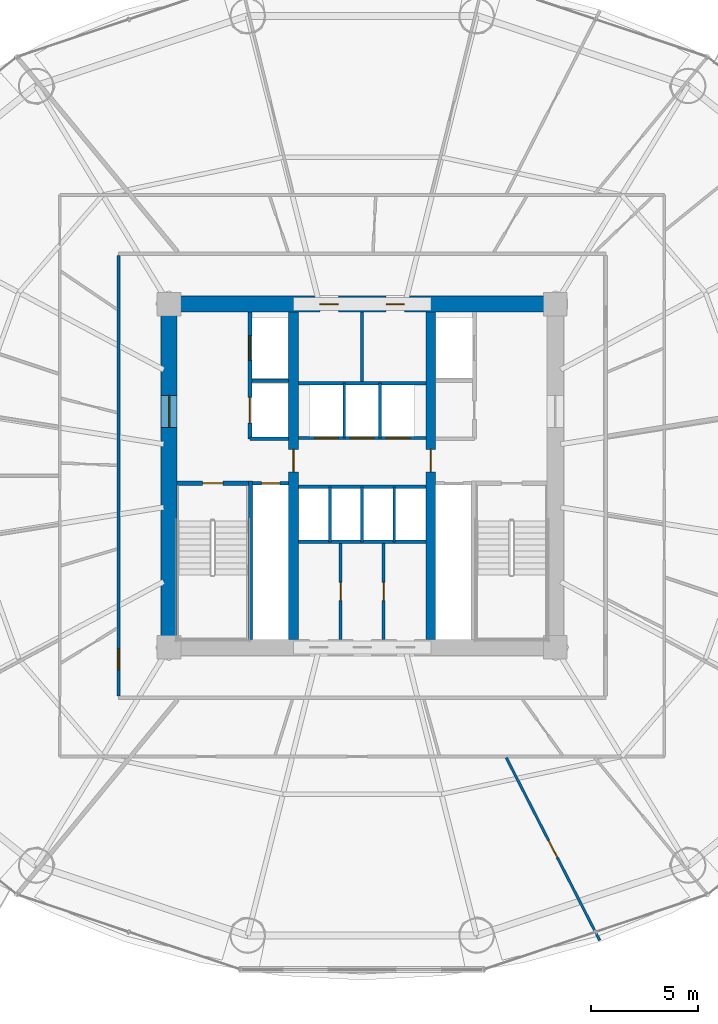
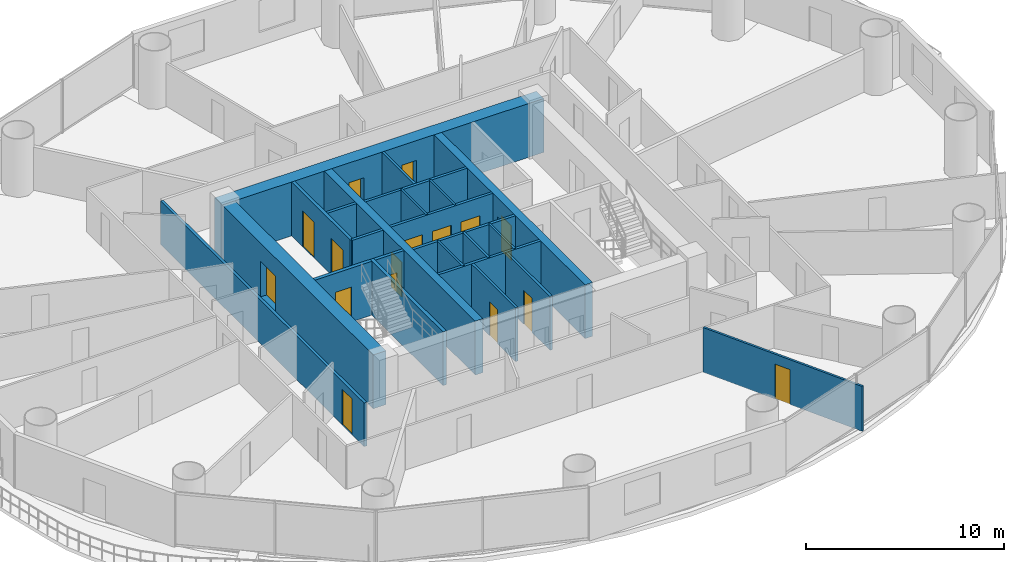
# One storey, part 22 of 28: 24 walls, 16 doors, 16 openings.
"""IFC4 building model written with IfcOpenShell, lengths in metres."""

from ifc_helpers import new_model, si_unit, direction, frame, frame_2d, origin, place, context, subcontext, project, spatial, rectangle, extrude, source, transform, mapped, material, layer, layer_set, type_object, element, fill, save


model = new_model("IFC4")

# Units and contexts
model_context = context("Model", 3, precision=1e-05, world=origin(), true_north=direction((-0.2419218956, 0.970295726276)))
body_context = subcontext(model_context, "Body", "Model", "MODEL_VIEW")
ifc_project = project(units=[si_unit("LENGTHUNIT", "METRE"), si_unit("AREAUNIT", "SQUARE_METRE"), si_unit("VOLUMEUNIT", "CUBIC_METRE"), si_unit("PLANEANGLEUNIT", "RADIAN"), si_unit("MASSUNIT", "GRAM", prefix="KILO")], contexts=[model_context])

# Site, building, storey
site_placement = place(None, origin())
site = spatial("IfcSite", under=ifc_project, at=site_placement, CompositionType="ELEMENT")
building_placement = place(site_placement, origin())
building = spatial("IfcBuilding", under=site, at=building_placement, Name="Cobrevalo Terracotta Tower", CompositionType="ELEMENT")
storey_placement = place(building_placement, frame((0.0, 0.0, 38.39990234375)))
storey = spatial("IfcBuildingStorey", under=building, at=storey_placement, Name="L09", CompositionType="ELEMENT", Elevation=38.39990234375)

# Wall, openings, doors
ifc_material_1 = material(Name="Concrete C60", Category="concrete")
ifc_layer_1 = layer(ifc_material_1, 0.75)
ifc_layer_set_1 = layer_set([ifc_layer_1], Name="Concrete C60")
wall_type_1 = type_object("IfcWallType", Name="Core shear wall 750 mm Concrete C60", PredefinedType="SHEAR", material=ifc_layer_set_1)
wall_1_placement = place(storey_placement, frame((28.625, 34.800048828125, 0.0), z_axis=(0.0, 0.0, 1.0), x_axis=(1.0, 0.0, 0.0)))
wall_1 = element("IfcWall", 1, at=wall_1_placement, inside=storey, type_object=wall_type_1, Name="L09 north core shear wall", PredefinedType="SHEAR", context=body_context, shape_type="SweptSolid", body=[
    extrude(rectangle(XDim=18.75, YDim=0.75, at=frame_2d((9.375, 0.0))), origin(), (0.0, 0.0, 1.0), 3.320068359375),
])
opening_1_placement = place(wall_1_placement, frame((7.407470703125, 0.0, 0.0)))
opening_1 = element("IfcOpeningElement", 2, at=opening_1_placement, cuts=wall_1, Name="Opening ID-07", PredefinedType="OPENING", context=body_context, shape_type="SweptSolid", body=[
    extrude(rectangle(XDim=0.860107421875, YDim=2.10009765625, at=frame_2d((0.43017578125, 1.050048828125))), frame((0.0, 0.385009765625, 0.0), z_axis=(0.0, -1.0, 0.0), x_axis=(1.0, 0.0, 0.0)), (0.0, 0.0, 1.0), 0.77001953125),
])
opening_2_placement = place(wall_1_placement, frame((10.487548828125, 0.0, 0.0)))
opening_2 = element("IfcOpeningElement", 3, at=opening_2_placement, cuts=wall_1, Name="Opening ID-22", PredefinedType="OPENING", context=body_context, shape_type="SweptSolid", body=[
    extrude(rectangle(XDim=0.85009765625, YDim=2.10009765625, at=frame_2d((0.425048828125, 1.050048828125))), frame((0.0, 0.385009765625, 0.0), z_axis=(0.0, -1.0, 0.0), x_axis=(1.0, 0.0, 0.0)), (0.0, 0.0, 1.0), 0.77001953125),
])
ifc_material_2 = material(Name="Powder-coated steel", Category="steel")
door_type_1 = type_object("IfcDoorType", Name="Riser shaft & meter closet fire access door 850x2100 EI 60", OperationType="NOTDEFINED", PredefinedType="DOOR", material=ifc_material_2)
shared_shape_1 = source(origin(), body_context, "Body", "SweptSolid", [
    extrude(rectangle(XDim=0.85009765625, YDim=2.10009765625, at=frame_2d((0.425048828125, 1.050048828125))), frame((0.0, 0.02490234375, 0.0), z_axis=(0.0, -1.0, 0.0), x_axis=(1.0, 0.0, 0.0)), (0.0, 0.0, 1.0), 0.050048828125),
])
door_1_placement = place(opening_2_placement, frame((0.85009765625, 0.0, 0.0), z_axis=(0.0, 0.0, 1.0), x_axis=(-1.0, 0.0, 0.0)))
door_1 = element("IfcDoor", 4, at=door_1_placement, inside=storey, type_object=door_type_1, Name="L09 core north service door Floor Telecom and Metering Plant", OperationType="SINGLE_SWING_RIGHT", OverallHeight=2.10009765625, OverallWidth=0.85009765625, PredefinedType="DOOR", context=body_context, shape_type="MappedRepresentation", body=[
    mapped(shared_shape_1, transform((0.0, 0.0, 0.0), scale=1.0)),
])
fill(opening_2, door_1)
ifc_material_3 = material(Name="Fire-rated moisture-sealed timber", Category="wood")
door_type_2 = type_object("IfcDoorType", Name="Core & podium fire-rated accessible WC door 860x2100 EI 60", OperationType="NOTDEFINED", PredefinedType="DOOR", material=ifc_material_3)
shared_shape_2 = source(origin(), body_context, "Body", "SweptSolid", [
    extrude(rectangle(XDim=0.860107421875, YDim=2.10009765625, at=frame_2d((0.43017578125, 1.050048828125))), frame((0.0, 0.02490234375, 0.0), z_axis=(0.0, -1.0, 0.0), x_axis=(1.0, 0.0, 0.0)), (0.0, 0.0, 1.0), 0.050048828125),
])
door_2_placement = place(opening_1_placement, frame((0.860107421875, 0.0, 0.0), z_axis=(0.0, 0.0, 1.0), x_axis=(-1.0, 0.0, 0.0)))
door_2 = element("IfcDoor", 5, at=door_2_placement, inside=storey, type_object=door_type_2, Name="L09 core north service door Core Accessible Toilet WC", OperationType="SINGLE_SWING_LEFT", OverallHeight=2.10009765625, OverallWidth=0.860107421875, PredefinedType="DOOR", context=body_context, shape_type="MappedRepresentation", body=[
    mapped(shared_shape_2, transform((0.0, 0.0, 0.0), scale=1.0)),
])
fill(opening_1, door_2)

# Wall, opening, door
wall_2_placement = place(storey_placement, frame((29.0, 19.175048828125, 0.0), z_axis=(0.0, 0.0, 1.0), x_axis=(0.0, 1.0, 0.0)))
wall_2 = element("IfcWall", 6, at=wall_2_placement, inside=storey, type_object=wall_type_1, Name="L09 west core shear wall", PredefinedType="SHEAR", context=body_context, shape_type="SweptSolid", body=[
    extrude(rectangle(XDim=15.25, YDim=0.75, at=frame_2d((7.625, 0.0))), origin(), (0.0, 0.0, 1.0), 3.320068359375),
])
opening_3_placement = place(wall_2_placement, frame((9.875, 0.0, 0.0)))
opening_3 = element("IfcOpeningElement", 7, at=opening_3_placement, cuts=wall_2, Name="Opening ID-14", PredefinedType="OPENING", context=body_context, shape_type="SweptSolid", body=[
    extrude(rectangle(XDim=1.5, YDim=2.199951171875, at=frame_2d((0.75, 1.10009765625))), frame((0.0, 0.385009765625, 0.0), z_axis=(0.0, -1.0, 0.0), x_axis=(1.0, 0.0, 0.0)), (0.0, 0.0, 1.0), 0.77001953125),
])
ifc_material_4 = material(Name="Galvanized fire-rated steel", Category="steel")
door_type_3 = type_object("IfcDoorType", Name="Core cross-lobby double fire door 1500x2200 EI 90", OperationType="NOTDEFINED", PredefinedType="DOOR", material=ifc_material_4)
shared_shape_3 = source(origin(), body_context, "Body", "SweptSolid", [
    extrude(rectangle(XDim=1.5, YDim=2.199951171875, at=frame_2d((0.75, 1.10009765625))), frame((0.0, 0.02490234375, 0.0), z_axis=(0.0, -1.0, 0.0), x_axis=(1.0, 0.0, 0.0)), (0.0, 0.0, 1.0), 0.050048828125),
])
door_3_placement = place(opening_3_placement, origin())
door_3 = element("IfcDoor", 8, at=door_3_placement, inside=storey, type_object=door_type_3, Name="L09 west firefighting lobby entrance door", OperationType="DOUBLE_DOOR_SINGLE_SWING", OverallHeight=2.199951171875, OverallWidth=1.5, PredefinedType="DOOR", context=body_context, shape_type="MappedRepresentation", body=[
    mapped(shared_shape_3, transform((0.0, 0.0, 0.0), scale=1.0)),
])
fill(opening_3, door_3)

# Walls
ifc_material_5 = material(Name="Gypsum board on steel stud", Category="steel")
ifc_layer_2 = layer(ifc_material_5, 0.159912109375)
ifc_layer_set_2 = layer_set([ifc_layer_2], Name="Gypsum board on steel stud")
wall_type_2 = type_object("IfcWallType", Name="Fire-rated corridor acoustic partition wall 160 mm", PredefinedType="PARTITIONING", material=ifc_layer_set_2)
wall_3_placement = place(storey_placement, frame((32.860107421875, 31.219970703125, 0.0), z_axis=(0.0, 0.0, 1.0), x_axis=(1.0, 0.0, 0.0)))
element("IfcWall", 9, at=wall_3_placement, inside=storey, type_object=wall_type_2, Name="L09 interior partition IW-L09-FF1-M", PredefinedType="PARTITIONING", context=body_context, shape_type="SweptSolid", body=[
    extrude(rectangle(XDim=1.71484375, YDim=0.159912109375, at=frame_2d((0.857421875, 0.0))), origin(), (0.0, 0.0, 1.0), 3.320068359375),
])
wall_4_placement = place(storey_placement, frame((32.77001953125, 28.52001953125, 0.0), z_axis=(0.0, 0.0, 1.0), x_axis=(1.0, 0.0, 0.0)))
element("IfcWall", 10, at=wall_4_placement, inside=storey, type_object=wall_type_2, Name="L09 interior partition IW-L09-FF1-S", PredefinedType="PARTITIONING", context=body_context, shape_type="SweptSolid", body=[
    extrude(rectangle(XDim=1.804931640625, YDim=0.159912109375, at=frame_2d((0.90234375, 0.0))), origin(), (0.0, 0.0, 1.0), 3.320068359375),
])

# Wall, openings, doors
wall_5_placement = place(storey_placement, frame((35.02490234375, 28.56005859375, 0.0), z_axis=(0.0, 0.0, 1.0), x_axis=(1.0, 0.0, 0.0)))
wall_5 = element("IfcWall", 11, at=wall_5_placement, inside=storey, type_object=wall_type_2, Name="L09 interior partition IW-L09-LB-S", PredefinedType="PARTITIONING", context=body_context, shape_type="SweptSolid", body=[
    extrude(rectangle(XDim=5.9501953125, YDim=0.159912109375, at=frame_2d((2.97509765625, 0.0))), origin(), (0.0, 0.0, 1.0), 3.320068359375),
])
opening_4_placement = place(wall_5_placement, frame((0.760009765625, 0.0, 0.0)))
opening_4 = element("IfcOpeningElement", 12, at=opening_4_placement, cuts=wall_5, Name="Opening LD-01", PredefinedType="OPENING", context=body_context, shape_type="SweptSolid", body=[
    extrude(rectangle(XDim=1.10009765625, YDim=2.199951171875, at=frame_2d((0.550048828125, 1.10009765625))), frame((0.0, 0.08984375, 0.0), z_axis=(0.0, -1.0, 0.0), x_axis=(1.0, 0.0, 0.0)), (0.0, 0.0, 1.0), 0.179931640625),
])
opening_5_placement = place(wall_5_placement, frame((2.425048828125, 0.0, 0.0)))
opening_5 = element("IfcOpeningElement", 13, at=opening_5_placement, cuts=wall_5, Name="Opening LD-01", PredefinedType="OPENING", context=body_context, shape_type="SweptSolid", body=[
    extrude(rectangle(XDim=1.10009765625, YDim=2.199951171875, at=frame_2d((0.550048828125, 1.10009765625))), frame((0.0, 0.08984375, 0.0), z_axis=(0.0, -1.0, 0.0), x_axis=(1.0, 0.0, 0.0)), (0.0, 0.0, 1.0), 0.179931640625),
])
opening_6_placement = place(wall_5_placement, frame((4.090087890625, 0.0, 0.0)))
opening_6 = element("IfcOpeningElement", 14, at=opening_6_placement, cuts=wall_5, Name="Opening LD-01", PredefinedType="OPENING", context=body_context, shape_type="SweptSolid", body=[
    extrude(rectangle(XDim=1.10009765625, YDim=2.199951171875, at=frame_2d((0.550048828125, 1.10009765625))), frame((0.0, 0.08984375, 0.0), z_axis=(0.0, -1.0, 0.0), x_axis=(1.0, 0.0, 0.0)), (0.0, 0.0, 1.0), 0.179931640625),
])
ifc_material_6 = material(Name="Brushed stainless steel", Category="steel")
door_type_4 = type_object("IfcDoorType", Name="Passenger lift landing bi-parting sliding door 1100x2200 EI 90", OperationType="DOUBLE_DOOR_SLIDING", PredefinedType="DOOR", material=ifc_material_6)
shared_shape_4 = source(origin(), body_context, "Body", "SweptSolid", [
    extrude(rectangle(XDim=1.10009765625, YDim=2.199951171875, at=frame_2d((0.550048828125, 1.10009765625))), frame((0.0, 0.02490234375, 0.0), z_axis=(0.0, -1.0, 0.0), x_axis=(1.0, 0.0, 0.0)), (0.0, 0.0, 1.0), 0.050048828125),
])
door_4_placement = place(opening_4_placement, origin())
door_4 = element("IfcDoor", 15, at=door_4_placement, inside=storey, type_object=door_type_4, Name="L09 lift landing door PL-L1", OperationType="DOUBLE_DOOR_SLIDING", OverallHeight=2.199951171875, OverallWidth=1.10009765625, PredefinedType="DOOR", context=body_context, shape_type="MappedRepresentation", body=[
    mapped(shared_shape_4, transform((0.0, 0.0, 0.0), scale=1.0)),
])
fill(opening_4, door_4)
door_5_placement = place(opening_5_placement, origin())
door_5 = element("IfcDoor", 16, at=door_5_placement, inside=storey, type_object=door_type_4, Name="L09 lift landing door PL-L2", OperationType="DOUBLE_DOOR_SLIDING", OverallHeight=2.199951171875, OverallWidth=1.10009765625, PredefinedType="DOOR", context=body_context, shape_type="MappedRepresentation", body=[
    mapped(shared_shape_4, transform((0.0, 0.0, 0.0), scale=1.0)),
])
fill(opening_5, door_5)
door_6_placement = place(opening_6_placement, origin())
door_6 = element("IfcDoor", 17, at=door_6_placement, inside=storey, type_object=door_type_4, Name="L09 lift landing door PL-L3", OperationType="DOUBLE_DOOR_SLIDING", OverallHeight=2.199951171875, OverallWidth=1.10009765625, PredefinedType="DOOR", context=body_context, shape_type="MappedRepresentation", body=[
    mapped(shared_shape_4, transform((0.0, 0.0, 0.0), scale=1.0)),
])
fill(opening_6, door_6)

# Walls
for number, where, z_axis, x_axis, name in (
    (18, (35.02490234375, 31.1201171875, 0.0), (0.0, 0.0, 1.0), (1.0, 0.0, 0.0), "L09 interior partition IW-L09-LB-N"),
    (19, (35.02490234375, 26.280029296875, 0.0), (0.0, 0.0, 1.0), (1.0, 0.0, 0.0), "L09 interior partition IW-L09-MB-N"),
    (20, (35.02490234375, 23.719970703125, 0.0), (0.0, 0.0, 1.0), (1.0, 0.0, 0.0), "L09 interior partition IW-L09-MB-S"),
):
    element("IfcWall", number, at=place(storey_placement, frame(where, z_axis=z_axis, x_axis=x_axis)), inside=storey, type_object=wall_type_2, Name=name, PredefinedType="PARTITIONING", context=body_context, shape_type="SweptSolid", body=[
        extrude(rectangle(XDim=5.9501953125, YDim=0.159912109375, at=frame_2d((2.97509765625, 0.0))), origin(), (0.0, 0.0, 1.0), 3.320068359375),
    ])

# Wall, opening, door
wall_6_placement = place(storey_placement, frame((26.64501953125, 16.52490234375, 0.0), z_axis=(0.0, 0.0, 1.0), x_axis=(0.0, 1.0, 0.0)))
wall_6 = element("IfcWall", 21, at=wall_6_placement, inside=storey, type_object=wall_type_2, Name="L09 interior partition IW-L09-COR-W", PredefinedType="PARTITIONING", context=body_context, shape_type="SweptSolid", body=[
    extrude(rectangle(XDim=20.550048828125, YDim=0.159912109375, at=frame_2d((10.27490234375, 0.0))), origin(), (0.0, 0.0, 1.0), 2.68798828125),
])
opening_7_placement = place(wall_6_placement, frame((1.226318359375, 0.0, 0.0)))
opening_7 = element("IfcOpeningElement", 22, at=opening_7_placement, cuts=wall_6, Name="Opening ID-05", PredefinedType="OPENING", context=body_context, shape_type="SweptSolid", body=[
    extrude(rectangle(XDim=0.97998046875, YDim=2.199951171875, at=frame_2d((0.489990234375, 1.10009765625))), frame((0.0, 0.08984375, 0.0), z_axis=(0.0, -1.0, 0.0), x_axis=(1.0, 0.0, 0.0)), (0.0, 0.0, 1.0), 0.179931640625),
])
ifc_material_7 = material(Name="Solid hardwood timber", Category="wood")
door_type_5 = type_object("IfcDoorType", Name="Residence entrance fire-rated acoustic timber door 980x2200 EI 60", OperationType="NOTDEFINED", PredefinedType="DOOR", material=ifc_material_7)
shared_shape_5 = source(origin(), body_context, "Body", "SweptSolid", [
    extrude(rectangle(XDim=0.97998046875, YDim=2.199951171875, at=frame_2d((0.489990234375, 1.10009765625))), frame((0.0, 0.02490234375, 0.0), z_axis=(0.0, -1.0, 0.0), x_axis=(1.0, 0.0, 0.0)), (0.0, 0.0, 1.0), 0.050048828125),
])
door_7_placement = place(opening_7_placement, origin())
door_7 = element("IfcDoor", 23, at=door_7_placement, inside=storey, type_object=door_type_5, Name="Flat L09B fire-rated apartment entrance door", OperationType="SINGLE_SWING_RIGHT", OverallHeight=2.199951171875, OverallWidth=0.97998046875, PredefinedType="DOOR", context=body_context, shape_type="MappedRepresentation", body=[
    mapped(shared_shape_5, transform((0.0, 0.0, 0.0), scale=1.0)),
])
fill(opening_7, door_7)

ifc_layer_3 = layer(ifc_material_5, 0.179931640625)
ifc_layer_set_3 = layer_set([ifc_layer_3], Name="Gypsum board on steel stud")
wall_type_3 = type_object("IfcWallType", Name="Fire-rated shaft & lobby acoustic partition wall 180 mm", PredefinedType="PARTITIONING", material=ifc_layer_set_3)
wall_7_placement = place(storey_placement, frame((32.89990234375, 26.449951171875, 0.0), z_axis=(0.0, 0.0, 1.0), x_axis=(1.0, 0.0, 0.0)))
wall_7 = element("IfcWall", 24, at=wall_7_placement, inside=storey, type_object=wall_type_3, Name="L09 interior partition IW-L09-RSW-N", PredefinedType="PARTITIONING", context=body_context, shape_type="SweptSolid", body=[
    extrude(rectangle(XDim=1.675048828125, YDim=0.179931640625, at=frame_2d((0.83740234375, 0.0))), origin(), (0.0, 0.0, 1.0), 3.320068359375),
])
opening_8_placement = place(wall_7_placement, frame((0.41259765625, 0.0, 0.0)))
opening_8 = element("IfcOpeningElement", 25, at=opening_8_placement, cuts=wall_7, Name="Opening ID-22", PredefinedType="OPENING", context=body_context, shape_type="SweptSolid", body=[
    extrude(rectangle(XDim=0.85009765625, YDim=2.10009765625, at=frame_2d((0.425048828125, 1.050048828125))), frame((0.0, 0.10009765625, 0.0), z_axis=(0.0, -1.0, 0.0), x_axis=(1.0, 0.0, 0.0)), (0.0, 0.0, 1.0), 0.199951171875),
])
door_8_placement = place(opening_8_placement, origin())
door_8 = element("IfcDoor", 26, at=door_8_placement, inside=storey, type_object=door_type_1, Name="L09 riser access door RSW", OperationType="SINGLE_SWING_LEFT", OverallHeight=2.10009765625, OverallWidth=0.85009765625, PredefinedType="DOOR", context=body_context, shape_type="MappedRepresentation", body=[
    mapped(shared_shape_1, transform((0.0, 0.0, 0.0), scale=1.0)),
])
fill(opening_8, door_8)

# Wall, openings, doors
wall_8_placement = place(storey_placement, frame((32.77001953125, 28.52001953125, 0.0), z_axis=(0.0, 0.0, 1.0), x_axis=(0.0, 1.0, 0.0)))
wall_8 = element("IfcWall", 27, at=wall_8_placement, inside=storey, type_object=wall_type_3, Name="L09 interior partition IW-L09-FF1-W", PredefinedType="PARTITIONING", context=body_context, shape_type="SweptSolid", body=[
    extrude(rectangle(XDim=5.905029296875, YDim=0.179931640625, at=frame_2d((2.95263671875, 0.0))), origin(), (0.0, 0.0, 1.0), 3.320068359375),
])
opening_9_placement = place(wall_8_placement, frame((3.655029296875, 0.0, 0.0)))
opening_9 = element("IfcOpeningElement", 28, at=opening_9_placement, cuts=wall_8, Name="Opening LD-02", PredefinedType="OPENING", context=body_context, shape_type="SweptSolid", body=[
    extrude(rectangle(XDim=1.14990234375, YDim=2.199951171875, at=frame_2d((0.574951171875, 1.10009765625))), frame((0.0, 0.10009765625, 0.0), z_axis=(0.0, -1.0, 0.0), x_axis=(1.0, 0.0, 0.0)), (0.0, 0.0, 1.0), 0.199951171875),
])
opening_10_placement = place(wall_8_placement, frame((0.72998046875, 0.0, 0.0)))
opening_10 = element("IfcOpeningElement", 29, at=opening_10_placement, cuts=wall_8, Name="Opening LD-03", PredefinedType="OPENING", context=body_context, shape_type="SweptSolid", body=[
    extrude(rectangle(XDim=1.199951171875, YDim=2.25, at=frame_2d((0.60009765625, 1.125))), frame((0.0, 0.10009765625, 0.0), z_axis=(0.0, -1.0, 0.0), x_axis=(1.0, 0.0, 0.0)), (0.0, 0.0, 1.0), 0.199951171875),
])
door_type_6 = type_object("IfcDoorType", Name="Firefighting lift landing bi-parting sliding door 1150x2200 EI 120", OperationType="DOUBLE_DOOR_SLIDING", PredefinedType="DOOR", material=ifc_material_6)
shared_shape_6 = source(origin(), body_context, "Body", "SweptSolid", [
    extrude(rectangle(XDim=1.14990234375, YDim=2.199951171875, at=frame_2d((0.574951171875, 1.10009765625))), frame((0.0, 0.02490234375, 0.0), z_axis=(0.0, -1.0, 0.0), x_axis=(1.0, 0.0, 0.0)), (0.0, 0.0, 1.0), 0.050048828125),
])
door_9_placement = place(opening_9_placement, origin())
door_9 = element("IfcDoor", 30, at=door_9_placement, inside=storey, type_object=door_type_6, Name="L09 lift landing door FF-1", OperationType="DOUBLE_DOOR_SLIDING", OverallHeight=2.199951171875, OverallWidth=1.14990234375, PredefinedType="DOOR", context=body_context, shape_type="MappedRepresentation", body=[
    mapped(shared_shape_6, transform((0.0, 0.0, 0.0), scale=1.0)),
])
fill(opening_9, door_9)
door_type_7 = type_object("IfcDoorType", Name="Service lift landing bi-parting sliding door 1200x2250 EI 120", OperationType="DOUBLE_DOOR_SLIDING", PredefinedType="DOOR", material=ifc_material_6)
shared_shape_7 = source(origin(), body_context, "Body", "SweptSolid", [
    extrude(rectangle(XDim=1.199951171875, YDim=2.25, at=frame_2d((0.60009765625, 1.125))), frame((0.0, 0.02490234375, 0.0), z_axis=(0.0, -1.0, 0.0), x_axis=(1.0, 0.0, 0.0)), (0.0, 0.0, 1.0), 0.050048828125),
])
door_10_placement = place(opening_10_placement, origin())
door_10 = element("IfcDoor", 31, at=door_10_placement, inside=storey, type_object=door_type_7, Name="L09 lift landing door SV-1", OperationType="DOUBLE_DOOR_SLIDING", OverallHeight=2.25, OverallWidth=1.199951171875, PredefinedType="DOOR", context=body_context, shape_type="MappedRepresentation", body=[
    mapped(shared_shape_7, transform((0.0, 0.0, 0.0), scale=1.0)),
])
fill(opening_10, door_10)

# Walls
ifc_material_8 = material(Name="Autoclaved aerated concrete block", Category="concrete")
ifc_layer_4 = layer(ifc_material_8, 0.1201171875)
ifc_layer_set_4 = layer_set([ifc_layer_4], Name="Autoclaved aerated concrete block")
wall_type_4 = type_object("IfcWallType", Name="Fire-rated wet-room & core service partition 120 mm", PredefinedType="PARTITIONING", material=ifc_layer_set_4)
for number, where, z_axis, x_axis, name in (
    (32, (37.169921875, 28.56005859375, 0.0), (0.0, 0.0, 1.0), (0.0, 1.0, 0.0), "L09 interior partition IW-L09-LB-D1"),
    (33, (38.830078125, 28.56005859375, 0.0), (0.0, 0.0, 1.0), (0.0, 1.0, 0.0), "L09 interior partition IW-L09-LB-D2"),
    (34, (36.5, 23.719970703125, 0.0), (0.0, 0.0, 1.0), (0.0, 1.0, 0.0), "L09 interior partition IW-L09-MB-D1"),
    (35, (39.5, 23.719970703125, 0.0), (0.0, 0.0, 1.0), (0.0, 1.0, 0.0), "L09 interior partition IW-L09-MB-D3"),
):
    element("IfcWall", number, at=place(storey_placement, frame(where, z_axis=z_axis, x_axis=x_axis)), inside=storey, type_object=wall_type_4, Name=name, PredefinedType="PARTITIONING", context=body_context, shape_type="SweptSolid", body=[
        extrude(rectangle(XDim=2.56005859375, YDim=0.1201171875, at=frame_2d((1.280029296875, 0.0))), origin(), (0.0, 0.0, 1.0), 3.320068359375),
    ])

# Wall, opening, door
ifc_material_9 = material(Name="Concrete C55", Category="concrete")
ifc_layer_5 = layer(ifc_material_9, 0.449951171875)
ifc_layer_set_5 = layer_set([ifc_layer_5], Name="Concrete C55")
wall_type_5 = type_object("IfcWallType", Name="Internal core shear web wall 450 mm Concrete C55", PredefinedType="SHEAR", material=ifc_layer_set_5)
wall_9_placement = place(storey_placement, frame((34.800048828125, 19.175048828125, 0.0), z_axis=(0.0, 0.0, 1.0), x_axis=(0.0, 1.0, 0.0)))
wall_9 = element("IfcWall", 36, at=wall_9_placement, inside=storey, type_object=wall_type_5, Name="L09 internal core shear wall WEB-W", PredefinedType="SHEAR", context=body_context, shape_type="SweptSolid", body=[
    extrude(rectangle(XDim=15.25, YDim=0.449951171875, at=frame_2d((7.625, 0.0))), origin(), (0.0, 0.0, 1.0), 3.320068359375),
])
opening_11_placement = place(wall_9_placement, frame((7.800048828125, 0.0, 0.0)))
opening_11 = element("IfcOpeningElement", 37, at=opening_11_placement, cuts=wall_9, Name="Opening ID-11", PredefinedType="OPENING", context=body_context, shape_type="SweptSolid", body=[
    extrude(rectangle(XDim=1.050048828125, YDim=2.14990234375, at=frame_2d((0.52490234375, 1.074951171875))), frame((0.0, 0.23486328125, 0.0), z_axis=(0.0, -1.0, 0.0), x_axis=(1.0, 0.0, 0.0)), (0.0, 0.0, 1.0), 0.469970703125),
])
door_type_8 = type_object("IfcDoorType", Name="Core concourse cross fire door 1050x2150 EI 90", OperationType="NOTDEFINED", PredefinedType="DOOR", material=ifc_material_4)
shared_shape_8 = source(origin(), body_context, "Body", "SweptSolid", [
    extrude(rectangle(XDim=1.050048828125, YDim=2.14990234375, at=frame_2d((0.52490234375, 1.074951171875))), frame((0.0, 0.02490234375, 0.0), z_axis=(0.0, -1.0, 0.0), x_axis=(1.0, 0.0, 0.0)), (0.0, 0.0, 1.0), 0.050048828125),
])
door_11_placement = place(opening_11_placement, origin())
door_11 = element("IfcDoor", 38, at=door_11_placement, inside=storey, type_object=door_type_8, Name="L09 west core concourse cross door", OperationType="SINGLE_SWING_LEFT", OverallHeight=2.14990234375, OverallWidth=1.050048828125, PredefinedType="DOOR", context=body_context, shape_type="MappedRepresentation", body=[
    mapped(shared_shape_8, transform((0.0, 0.0, 0.0), scale=1.0)),
])
fill(opening_11, door_11)

wall_10_placement = place(storey_placement, frame((41.199951171875, 19.175048828125, 0.0), z_axis=(0.0, 0.0, 1.0), x_axis=(0.0, 1.0, 0.0)))
wall_10 = element("IfcWall", 39, at=wall_10_placement, inside=storey, type_object=wall_type_5, Name="L09 internal core shear wall WEB-E", PredefinedType="SHEAR", context=body_context, shape_type="SweptSolid", body=[
    extrude(rectangle(XDim=15.25, YDim=0.449951171875, at=frame_2d((7.625, 0.0))), origin(), (0.0, 0.0, 1.0), 3.320068359375),
])
opening_12_placement = place(wall_10_placement, frame((7.800048828125, 0.0, 0.0)))
opening_12 = element("IfcOpeningElement", 40, at=opening_12_placement, cuts=wall_10, Name="Opening ID-11", PredefinedType="OPENING", context=body_context, shape_type="SweptSolid", body=[
    extrude(rectangle(XDim=1.050048828125, YDim=2.14990234375, at=frame_2d((0.52490234375, 1.074951171875))), frame((0.0, 0.23486328125, 0.0), z_axis=(0.0, -1.0, 0.0), x_axis=(1.0, 0.0, 0.0)), (0.0, 0.0, 1.0), 0.469970703125),
])
door_12_placement = place(opening_12_placement, frame((1.050048828125, 0.0, 0.0), z_axis=(0.0, 0.0, 1.0), x_axis=(-1.0, 0.0, 0.0)))
door_12 = element("IfcDoor", 41, at=door_12_placement, inside=storey, type_object=door_type_8, Name="L09 east core concourse cross door", OperationType="SINGLE_SWING_RIGHT", OverallHeight=2.14990234375, OverallWidth=1.050048828125, PredefinedType="DOOR", context=body_context, shape_type="MappedRepresentation", body=[
    mapped(shared_shape_8, transform((0.0, 0.0, 0.0), scale=1.0)),
])
fill(opening_12, door_12)

# Walls
ifc_layer_6 = layer(ifc_material_8, 0.139892578125)
ifc_layer_set_6 = layer_set([ifc_layer_6], Name="Autoclaved aerated concrete block")
wall_type_6 = type_object("IfcWallType", Name="Moisture-resistant wet-room & core service partition 140 mm", PredefinedType="PARTITIONING", material=ifc_layer_set_6)
wall_11_placement = place(storey_placement, frame((38.0, 31.199951171875, 0.0), z_axis=(0.0, 0.0, 1.0), x_axis=(0.0, 1.0, 0.0)))
element("IfcWall", 42, at=wall_11_placement, inside=storey, type_object=wall_type_6, Name="L09 interior partition IW-L09-KVN-1", PredefinedType="PARTITIONING", context=body_context, shape_type="SweptSolid", body=[
    extrude(rectangle(XDim=3.22509765625, YDim=0.139892578125, at=frame_2d((1.612548828125, 0.0))), origin(), (0.0, 0.0, 1.0), 3.320068359375),
])
wall_12_placement = place(storey_placement, frame((38.0, 23.719970703125, 0.0), z_axis=(0.0, 0.0, 1.0), x_axis=(0.0, 1.0, 0.0)))
element("IfcWall", 43, at=wall_12_placement, inside=storey, type_object=wall_type_6, Name="L09 interior partition IW-L09-MB-D2", PredefinedType="PARTITIONING", context=body_context, shape_type="SweptSolid", body=[
    extrude(rectangle(XDim=2.56005859375, YDim=0.139892578125, at=frame_2d((1.280029296875, 0.0))), origin(), (0.0, 0.0, 1.0), 3.320068359375),
])

# Wall, opening, door
wall_13_placement = place(storey_placement, frame((37.0, 19.175048828125, 0.0), z_axis=(0.0, 0.0, 1.0), x_axis=(0.0, 1.0, 0.0)))
wall_13 = element("IfcWall", 44, at=wall_13_placement, inside=storey, type_object=wall_type_6, Name="L09 interior partition IW-L09-KVS-V1", PredefinedType="PARTITIONING", context=body_context, shape_type="SweptSolid", body=[
    extrude(rectangle(XDim=4.46484375, YDim=0.139892578125, at=frame_2d((2.232421875, 0.0))), origin(), (0.0, 0.0, 1.0), 3.320068359375),
])
opening_13_placement = place(wall_13_placement, frame((1.8076171875, 0.0, 0.0)))
opening_13 = element("IfcOpeningElement", 45, at=opening_13_placement, cuts=wall_13, Name="Opening ID-22", PredefinedType="OPENING", context=body_context, shape_type="SweptSolid", body=[
    extrude(rectangle(XDim=0.85009765625, YDim=2.10009765625, at=frame_2d((0.425048828125, 1.050048828125))), frame((0.0, 0.080078125, 0.0), z_axis=(0.0, -1.0, 0.0), x_axis=(1.0, 0.0, 0.0)), (0.0, 0.0, 1.0), 0.159912109375),
])
door_13_placement = place(opening_13_placement, origin())
door_13 = element("IfcDoor", 46, at=door_13_placement, inside=storey, type_object=door_type_1, Name="L09 core KVS-V1 inner door", OperationType="SINGLE_SWING_LEFT", OverallHeight=2.10009765625, OverallWidth=0.85009765625, PredefinedType="DOOR", context=body_context, shape_type="MappedRepresentation", body=[
    mapped(shared_shape_1, transform((0.0, 0.0, 0.0), scale=1.0)),
])
fill(opening_13, door_13)

wall_14_placement = place(storey_placement, frame((39.0, 19.175048828125, 0.0), z_axis=(0.0, 0.0, 1.0), x_axis=(0.0, 1.0, 0.0)))
wall_14 = element("IfcWall", 47, at=wall_14_placement, inside=storey, type_object=wall_type_6, Name="L09 interior partition IW-L09-KVS-V2", PredefinedType="PARTITIONING", context=body_context, shape_type="SweptSolid", body=[
    extrude(rectangle(XDim=4.46484375, YDim=0.139892578125, at=frame_2d((2.232421875, 0.0))), origin(), (0.0, 0.0, 1.0), 3.320068359375),
])
opening_14_placement = place(wall_14_placement, frame((1.8076171875, 0.0, 0.0)))
opening_14 = element("IfcOpeningElement", 48, at=opening_14_placement, cuts=wall_14, Name="Opening ID-22", PredefinedType="OPENING", context=body_context, shape_type="SweptSolid", body=[
    extrude(rectangle(XDim=0.85009765625, YDim=2.10009765625, at=frame_2d((0.425048828125, 1.050048828125))), frame((0.0, 0.080078125, 0.0), z_axis=(0.0, -1.0, 0.0), x_axis=(1.0, 0.0, 0.0)), (0.0, 0.0, 1.0), 0.159912109375),
])
door_14_placement = place(opening_14_placement, origin())
door_14 = element("IfcDoor", 49, at=door_14_placement, inside=storey, type_object=door_type_1, Name="L09 core KVS-V2 inner door", OperationType="SINGLE_SWING_LEFT", OverallHeight=2.10009765625, OverallWidth=0.85009765625, PredefinedType="DOOR", context=body_context, shape_type="MappedRepresentation", body=[
    mapped(shared_shape_1, transform((0.0, 0.0, 0.0), scale=1.0)),
])
fill(opening_14, door_14)

ifc_layer_7 = layer(ifc_material_5, 0.1201171875)
ifc_layer_set_7 = layer_set([ifc_layer_7], Name="Gypsum board on steel stud")
wall_type_7 = type_object("IfcWallType", Name="Residential internal acoustic stud partition 120 mm", PredefinedType="PARTITIONING", material=ifc_layer_set_7)
wall_15_placement = place(storey_placement, frame((44.716796875, 13.65966796875, 0.0), z_axis=(0.0, 0.0, 1.0), x_axis=(0.455131303234, -0.890424335256, 0.0)))
wall_15 = element("IfcWall", 50, at=wall_15_placement, inside=storey, type_object=wall_type_7, Name="L09 interior partition IW-L09-U3-ORAD1", PredefinedType="PARTITIONING", context=body_context, shape_type="SweptSolid", body=[
    extrude(rectangle(XDim=9.562255859375, YDim=0.1201171875, at=frame_2d((4.78125, 0.0))), origin(), (0.0, 0.0, 1.0), 2.76220703125),
])
opening_15_placement = place(wall_15_placement, frame((4.3310546875, 0.0, 0.0)))
opening_15 = element("IfcOpeningElement", 51, at=opening_15_placement, cuts=wall_15, Name="Opening ID-12", PredefinedType="OPENING", context=body_context, shape_type="SweptSolid", body=[
    extrude(rectangle(XDim=0.89990234375, YDim=2.14990234375, at=frame_2d((0.449951171875, 1.074951171875))), frame((0.0, 0.070068359375, 0.0), z_axis=(0.0, -1.0, 0.0), x_axis=(1.0, 0.0, 0.0)), (0.0, 0.0, 1.0), 0.14013671875),
])
ifc_material_10 = material(Name="Engineered timber", Category="wood")
door_type_9 = type_object("IfcDoorType", Name="Internal residence & suite timber door 900x2150", OperationType="NOTDEFINED", PredefinedType="DOOR", material=ifc_material_10)
shared_shape_9 = source(origin(), body_context, "Body", "SweptSolid", [
    extrude(rectangle(XDim=0.89990234375, YDim=2.14990234375, at=frame_2d((0.449951171875, 1.074951171875))), frame((0.0, 0.02490234375, 0.0), z_axis=(0.0, -1.0, 0.0), x_axis=(1.0, 0.0, 0.0)), (0.0, 0.0, 1.0), 0.050048828125),
])
door_15_placement = place(opening_15_placement, frame((0.89990234375, 0.0, 0.0), z_axis=(0.0, 0.0, 1.0), x_axis=(-1.0, 0.0, 0.0)))
door_15 = element("IfcDoor", 52, at=door_15_placement, inside=storey, type_object=door_type_9, Name="Flat L09C Penthouse Living and Dining Room internal door", OperationType="SINGLE_SWING_RIGHT", OverallHeight=2.14990234375, OverallWidth=0.89990234375, PredefinedType="DOOR", context=body_context, shape_type="MappedRepresentation", body=[
    mapped(shared_shape_9, transform((0.0, 0.0, 0.0), scale=1.0)),
])
fill(opening_15, door_15)

# Wall
ifc_material_11 = material(Name="Concrete C50", Category="concrete")
ifc_layer_8 = layer(ifc_material_11, 0.199951171875)
ifc_layer_set_8 = layer_set([ifc_layer_8], Name="Concrete C50")
wall_type_8 = type_object("IfcWallType", Name="Structural core & podium stair-shaft RC wall 200 mm Concrete C50", PredefinedType="SOLIDWALL", material=ifc_layer_set_8)
wall_16_placement = place(storey_placement, frame((32.794921875, 19.175048828125, 0.0), z_axis=(0.0, 0.0, 1.0), x_axis=(0.0, 1.0, 0.0)))
element("IfcWall", 53, at=wall_16_placement, inside=storey, type_object=wall_type_8, Name="L09 ST-1 east structural shaft wall", PredefinedType="SOLIDWALL", context=body_context, shape_type="SweptSolid", body=[
    extrude(rectangle(XDim=7.375, YDim=0.199951171875, at=frame_2d((3.6875, 0.0))), origin(), (0.0, 0.0, 1.0), 3.320068359375),
])

# Wall, opening, door
wall_17_placement = place(storey_placement, frame((29.375, 26.449951171875, 0.0), z_axis=(0.0, 0.0, 1.0), x_axis=(1.0, 0.0, 0.0)))
wall_17 = element("IfcWall", 54, at=wall_17_placement, inside=storey, type_object=wall_type_8, Name="L09 ST-1 north structural shaft wall", PredefinedType="SOLIDWALL", context=body_context, shape_type="SweptSolid", body=[
    extrude(rectangle(XDim=3.320068359375, YDim=0.199951171875, at=frame_2d((1.66015625, 0.0))), origin(), (0.0, 0.0, 1.0), 3.320068359375),
])
opening_16_placement = place(wall_17_placement, frame((1.18505859375, 0.0, 0.0)))
opening_16 = element("IfcOpeningElement", 55, at=opening_16_placement, cuts=wall_17, Name="Opening ID-04", PredefinedType="OPENING", context=body_context, shape_type="SweptSolid", body=[
    extrude(rectangle(XDim=0.949951171875, YDim=2.14990234375, at=frame_2d((0.47509765625, 1.074951171875))), frame((0.0, 0.10986328125, 0.0), z_axis=(0.0, -1.0, 0.0), x_axis=(1.0, 0.0, 0.0)), (0.0, 0.0, 1.0), 0.219970703125),
])
door_type_10 = type_object("IfcDoorType", Name="Stair & firefighting lobby fire door 950x2150 EI 90", OperationType="NOTDEFINED", PredefinedType="DOOR", material=ifc_material_4)
shared_shape_10 = source(origin(), body_context, "Body", "SweptSolid", [
    extrude(rectangle(XDim=0.949951171875, YDim=2.14990234375, at=frame_2d((0.47509765625, 1.074951171875))), frame((0.0, 0.02490234375, 0.0), z_axis=(0.0, -1.0, 0.0), x_axis=(1.0, 0.0, 0.0)), (0.0, 0.0, 1.0), 0.050048828125),
])
door_16_placement = place(opening_16_placement, origin())
door_16 = element("IfcDoor", 56, at=door_16_placement, inside=storey, type_object=door_type_10, Name="L09 protected stair ST1 fire door", OperationType="SINGLE_SWING_LEFT", OverallHeight=2.14990234375, OverallWidth=0.949951171875, PredefinedType="DOOR", context=body_context, shape_type="MappedRepresentation", body=[
    mapped(shared_shape_10, transform((0.0, 0.0, 0.0), scale=1.0)),
])
fill(opening_16, door_16)

save(model, "model.ifc")
